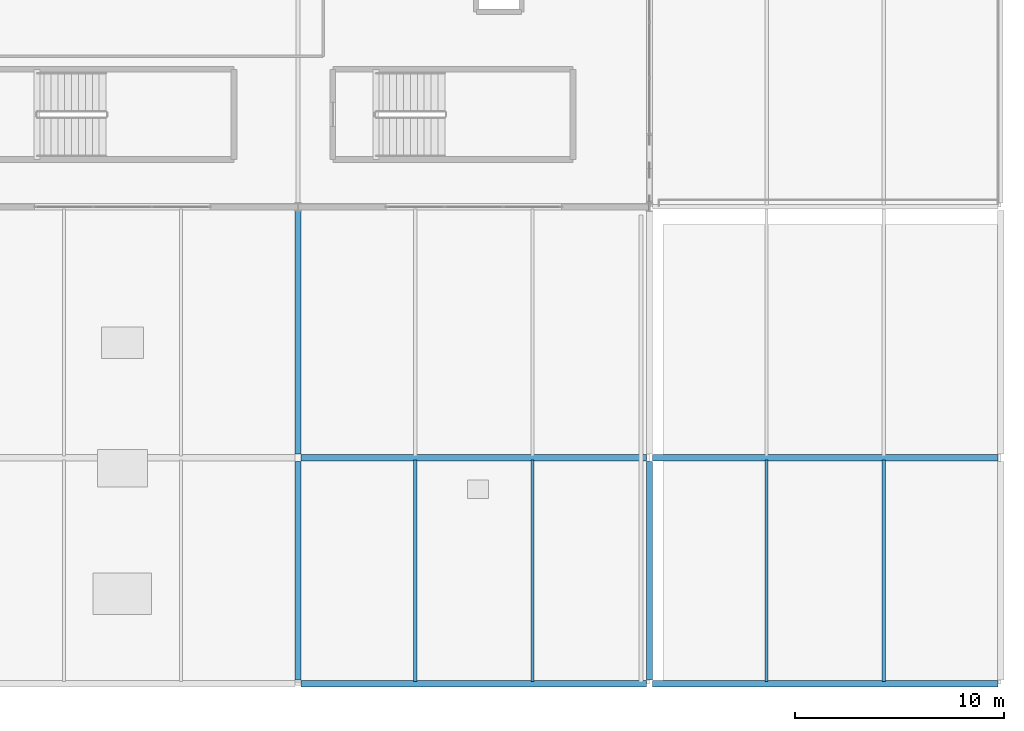
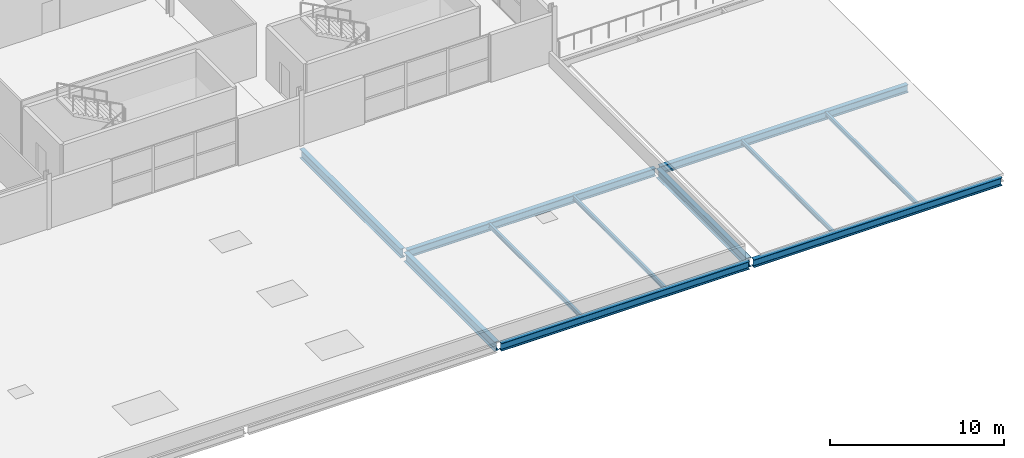
# One storey, part 19 of 36: 11 beams.
"""IFC4 building model written with IfcOpenShell, lengths in metres."""

from ifc_helpers import new_model, si_unit, direction, frame, origin, origin_2d, place, context, subcontext, project, spatial, i_section, extrude, material, material_profile, profile_set, type_object, element, save


model = new_model("IFC4")

# Units and contexts
model_context = context("Model", 3, precision=1e-05, world=origin(), true_north=direction((0.0, 1.0)))
body_context = subcontext(model_context, "Body", "Model", "MODEL_VIEW")
ifc_project = project(units=[si_unit("LENGTHUNIT", "METRE"), si_unit("AREAUNIT", "SQUARE_METRE"), si_unit("VOLUMEUNIT", "CUBIC_METRE"), si_unit("PLANEANGLEUNIT", "RADIAN"), si_unit("MASSUNIT", "GRAM", prefix="KILO")], contexts=[model_context])

# Site, building, storey
site_placement = place(None, origin())
site = spatial("IfcSite", under=ifc_project, at=site_placement, CompositionType="ELEMENT")
building_placement = place(site_placement, origin())
building = spatial("IfcBuilding", under=site, at=building_placement, Name="Kimbaza Rail Terminus", CompositionType="ELEMENT")
storey_placement = place(building_placement, frame((0.0, 0.0, 21.0)))
storey = spatial("IfcBuildingStorey", under=building, at=storey_placement, Name="L04", CompositionType="ELEMENT", Elevation=21.0)

# Beams
ifc_material_1 = material(Name="Steel S355", Category="steel")
ifc_material_profile_1 = material_profile(ifc_material_1, i_section(OverallWidth=0.300048828125, OverallDepth=0.550048828125, WebThickness=0.014892578125, FlangeThickness=0.029052734375, FilletRadius=0.027099609375, at=origin_2d()), Name="HEB 550")
ifc_profile_set_1 = profile_set([ifc_material_profile_1], Name="Steel S355")
beam_type_1 = type_object("IfcBeamType", Name="STR-BM-HEB550", PredefinedType="BEAM", material=ifc_profile_set_1)
for number, where, z_axis, x_axis, name in (
    (1, (139.345947265625, 80.199951171875, -0.449951171875), (1.0, 0.0, 0.0), (0.0, 1.0, 0.0), "Beam BM-BRGRFEX-80"),
    (2, (139.345947265625, 91.0, -0.449951171875), (1.0, 0.0, 0.0), (0.0, 1.0, 0.0), "Beam BM-BRGRFEX-91"),
    (3, (122.5458984375, 80.199951171875, -0.449951171875), (1.0, 0.0, 0.0), (0.0, 1.0, 0.0), "Beam BM-BRGRFX-80-3"),
    (4, (122.5458984375, 91.0, -0.449951171875), (1.0, 0.0, 0.0), (0.0, 1.0, 0.0), "Beam BM-BRGRFX-91-3"),
):
    element("IfcBeam", number, at=place(storey_placement, frame(where, z_axis=z_axis, x_axis=x_axis)), inside=storey, type_object=beam_type_1, Name=name, PredefinedType="BEAM", context=body_context, shape_type="SweptSolid", body=[
        extrude(i_section(OverallWidth=0.300048828125, OverallDepth=0.550048828125, WebThickness=0.014892578125, FlangeThickness=0.029052734375, FilletRadius=0.027099609375, at=origin_2d()), origin(), (0.0, 0.0, 1.0), 16.508056640625),
    ])
ifc_material_2 = material(Name="Steel S355", Category="steel")
ifc_material_profile_2 = material_profile(ifc_material_2, i_section(OverallWidth=0.300048828125, OverallDepth=0.64990234375, WebThickness=0.01611328125, FlangeThickness=0.031005859375, FilletRadius=0.027099609375, at=origin_2d()), Name="HEB 650")
ifc_profile_set_2 = profile_set([ifc_material_profile_2], Name="Steel S355")
beam_type_2 = type_object("IfcBeamType", Name="STR-BM-HEB650", PredefinedType="USERDEFINED", material=ifc_profile_set_2)
beam_1_placement = place(storey_placement, frame((122.39990234375, 80.375, -0.5), z_axis=(0.0, 1.0, 0.0), x_axis=(-1.0, 0.0, 0.0)))
element("IfcBeam", 5, at=beam_1_placement, inside=storey, type_object=beam_type_2, Name="Beam BM-BRGRFY-122-80", ObjectType="GIRDER", PredefinedType="USERDEFINED", context=body_context, shape_type="SweptSolid", body=[
    extrude(i_section(OverallWidth=0.300048828125, OverallDepth=0.64990234375, WebThickness=0.01611328125, FlangeThickness=0.031005859375, FilletRadius=0.027099609375, at=origin_2d()), origin(), (0.0, 0.0, 1.0), 10.449951171875),
])
beam_2_placement = place(storey_placement, frame((122.39990234375, 91.175048828125, -0.5), z_axis=(0.0, 1.0, 0.0), x_axis=(-1.0, 0.0, 0.0)))
element("IfcBeam", 6, at=beam_2_placement, inside=storey, type_object=beam_type_2, Name="Beam BM-BRGRFY-122-91", ObjectType="GIRDER", PredefinedType="USERDEFINED", context=body_context, shape_type="SweptSolid", body=[
    extrude(i_section(OverallWidth=0.300048828125, OverallDepth=0.64990234375, WebThickness=0.01611328125, FlangeThickness=0.031005859375, FilletRadius=0.027099609375, at=origin_2d()), origin(), (0.0, 0.0, 1.0), 11.64990234375),
])
beam_3_placement = place(storey_placement, frame((139.199951171875, 80.375, -0.5), z_axis=(0.0, 1.0, 0.0), x_axis=(-1.0, 0.0, 0.0)))
element("IfcBeam", 7, at=beam_3_placement, inside=storey, type_object=beam_type_2, Name="Beam BM-BRGRFY-139-80", ObjectType="GIRDER", PredefinedType="USERDEFINED", context=body_context, shape_type="SweptSolid", body=[
    extrude(i_section(OverallWidth=0.300048828125, OverallDepth=0.64990234375, WebThickness=0.01611328125, FlangeThickness=0.031005859375, FilletRadius=0.027099609375, at=origin_2d()), origin(), (0.0, 0.0, 1.0), 10.449951171875),
])
ifc_material_3 = material(Name="Steel S355", Category="steel")
ifc_material_profile_3 = material_profile(ifc_material_3, i_section(OverallWidth=0.14990234375, OverallDepth=0.300048828125, WebThickness=0.007080078125, FlangeThickness=0.0107421875, FilletRadius=0.014892578125, at=origin_2d()), Name="IPE 300")
ifc_profile_set_3 = profile_set([ifc_material_profile_3], Name="Steel S355")
beam_type_3 = type_object("IfcBeamType", Name="STR-BM-IPE300", PredefinedType="JOIST", material=ifc_profile_set_3)
for number, where, z_axis, x_axis, name in (
    (8, (128.0, 80.300048828125, -0.324951171875), (0.0, 1.0, 0.0), (-1.0, 0.0, 0.0), "Beam JST-BRGRF-L04-3-1-80"),
    (9, (133.60009765625, 80.300048828125, -0.324951171875), (0.0, 1.0, 0.0), (-1.0, 0.0, 0.0), "Beam JST-BRGRF-L04-3-2-80"),
    (10, (144.800048828125, 80.300048828125, -0.324951171875), (0.0, 1.0, 0.0), (-1.0, 0.0, 0.0), "Beam JST-BRGRF-L04-4-1-80"),
    (11, (150.39990234375, 80.300048828125, -0.324951171875), (0.0, 1.0, 0.0), (-1.0, 0.0, 0.0), "Beam JST-BRGRF-L04-4-2-80"),
):
    element("IfcBeam", number, at=place(storey_placement, frame(where, z_axis=z_axis, x_axis=x_axis)), inside=storey, type_object=beam_type_3, Name=name, PredefinedType="JOIST", context=body_context, shape_type="SweptSolid", body=[
        extrude(i_section(OverallWidth=0.14990234375, OverallDepth=0.300048828125, WebThickness=0.007080078125, FlangeThickness=0.0107421875, FilletRadius=0.014892578125, at=origin_2d()), origin(), (0.0, 0.0, 1.0), 10.599853515625),
    ])

save(model, "model.ifc")
